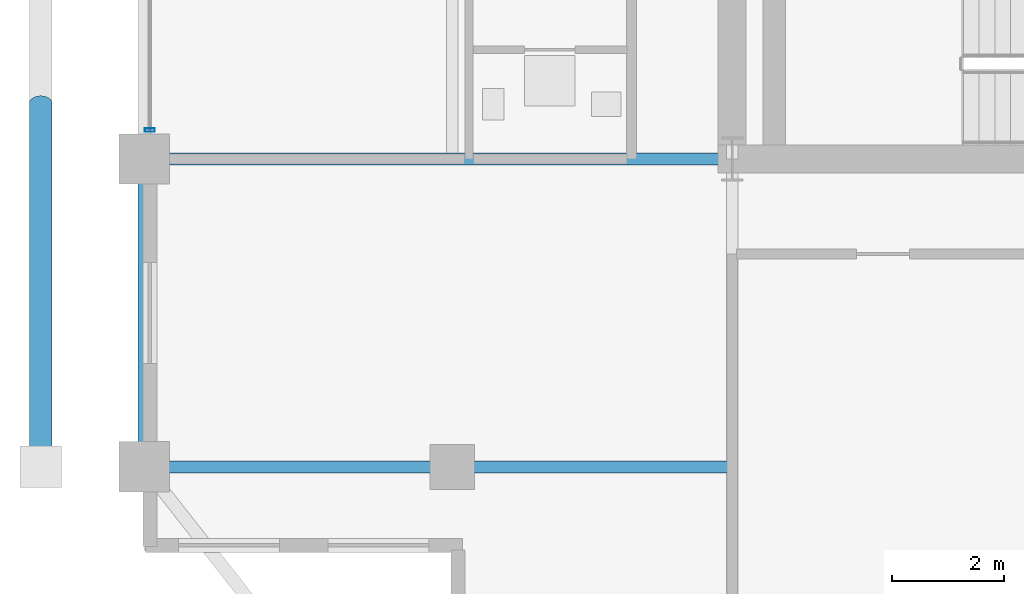
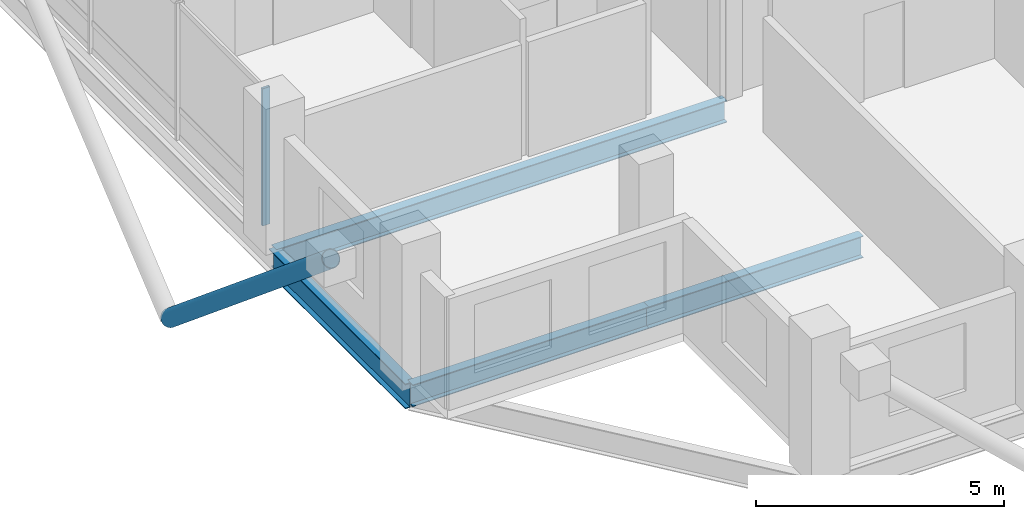
# One storey, part 3 of 23: 4 beams, 2 members, 1 element without a shape of its own.
"""IFC4 building model written with IfcOpenShell, lengths in metres."""

from ifc_helpers import new_model, si_unit, direction, frame, origin, origin_2d, place, context, subcontext, project, spatial, hollow_rectangle, hollow_circle, i_section, extrude, material, layer, layer_set, material_profile, profile_set, type_object, element, aggregate, save


model = new_model("IFC4")

# Units and contexts
model_context = context("Model", 3, precision=1e-05, world=origin(), true_north=direction((0.0, 1.0)))
body_context = subcontext(model_context, "Body", "Model", "MODEL_VIEW")
ifc_project = project(units=[si_unit("LENGTHUNIT", "METRE"), si_unit("AREAUNIT", "SQUARE_METRE"), si_unit("VOLUMEUNIT", "CUBIC_METRE"), si_unit("PLANEANGLEUNIT", "RADIAN"), si_unit("MASSUNIT", "GRAM", prefix="KILO")], contexts=[model_context])

# Site, building, storey
site_placement = place(None, origin())
site = spatial("IfcSite", under=ifc_project, at=site_placement, CompositionType="ELEMENT")
building_placement = place(site_placement, origin())
building = spatial("IfcBuilding", under=site, at=building_placement, Name="Barlavira Tower and Art Museum", CompositionType="ELEMENT")
storey_placement = place(building_placement, frame((0.0, 0.0, 247.5)))
storey = spatial("IfcBuildingStorey", under=building, at=storey_placement, Name="L64", CompositionType="ELEMENT", Elevation=247.5)

# Curtain wall, member
ifc_material_1 = material(Name="Low-iron coastal laminated glass", Category="glass")
ifc_layer = layer(ifc_material_1, 0.2099609375, Name="Low-iron coastal laminated glass")
ifc_layer_set = layer_set([ifc_layer], Name="Low-iron coastal laminated glass")
curtain_wall_type = type_object("IfcCurtainWallType", Name="Pale-Metal Unitised Curtain Wall Zone 4", PredefinedType="NOTDEFINED", material=ifc_layer_set)
curtain_wall_placement = place(storey_placement, origin())
curtain_wall = element("IfcCurtainWall", 1, at=curtain_wall_placement, inside=storey, type_object=curtain_wall_type, Name="L64 Curtain Wall CW4-L64-W-B3", PredefinedType="NOTDEFINED")
ifc_material_2 = material(Name="Pale anodised aluminium", Category="aluminium")
ifc_material_profile_1 = material_profile(ifc_material_2, hollow_rectangle(XDim=0.06494140625, YDim=0.179931640625, WallThickness=0.00390625, at=origin_2d()), Name="ALU-MULL 65x180x4")
ifc_profile_set_1 = profile_set([ifc_material_profile_1], Name="Pale anodised aluminium")
member_type_1 = type_object("IfcMemberType", Name="Curtain Wall Pale-Metal Mullion 65x180", PredefinedType="MULLION", material=ifc_profile_set_1)
member_1_placement = place(storey_placement, frame((-16.89990234375, -6.985107421875, 0.0), z_axis=(0.0, 0.0, 1.0), x_axis=(0.0, -1.0, 0.0)))
member_1 = element("IfcMember", 2, at=member_1_placement, type_object=member_type_1, Name="CW4-L64-W-B3 Mullion 4", PredefinedType="MULLION", context=body_context, shape_type="SweptSolid", body=[
    extrude(hollow_rectangle(XDim=0.06494140625, YDim=0.179931640625, WallThickness=0.00390625, at=origin_2d()), origin(), (0.0, 0.0, 1.0), 3.3798828125),
])
aggregate(curtain_wall, [member_1])

# Member
ifc_material_3 = material(Name="Steel S355", Category="steel")
ifc_material_profile_2 = material_profile(ifc_material_3, hollow_circle(Radius=0.203125, WallThickness=0.01611328125, at=origin_2d()), Name="CHS 406.4x16.0")
ifc_profile_set_2 = profile_set([ifc_material_profile_2], Name="Steel S355")
member_type_2 = type_object("IfcMemberType", Name="Pale-Metal Exoskeleton Diagrid Tube CHS 406x16 Steel S355", PredefinedType="BRACE", material=ifc_profile_set_2)
member_2_placement = place(storey_placement, frame((-18.85009765625, -6.5, -1.919921875), z_axis=(0.0, -0.769196053329, 0.639012857104), x_axis=(1.0, 0.0, 0.0)))
element("IfcMember", 3, at=member_2_placement, inside=storey, type_object=member_type_2, Name="L64 Exoskeleton Diagrid Tube W", PredefinedType="BRACE", context=body_context, shape_type="SweptSolid", body=[
    extrude(hollow_circle(Radius=0.203125, WallThickness=0.01611328125, at=origin_2d()), origin(), (0.0, 0.0, 1.0), 8.450439453125),
])

# Beams
ifc_material_profile_3 = material_profile(ifc_material_3, i_section(OverallWidth=0.22998046875, OverallDepth=0.616943359375, WebThickness=0.01318359375, FlangeThickness=0.022216796875, at=origin_2d()), Name="W610x140.0")
ifc_profile_set_3 = profile_set([ifc_material_profile_3], Name="Steel S355")
beam_type_1 = type_object("IfcBeamType", Name="Upper Shaft Spandrel Edge Beam W610x140 Steel S355", PredefinedType="SPANDREL", material=ifc_profile_set_3)
beam_1_placement = place(storey_placement, frame((-17.0, -13.0, -0.528564453125), z_axis=(0.0, 1.0, 0.0), x_axis=(-1.0, 0.0, 0.0)))
element("IfcBeam", 4, at=beam_1_placement, inside=storey, type_object=beam_type_1, Name="L64 Spandrel 15", PredefinedType="SPANDREL", context=body_context, shape_type="SweptSolid", body=[
    extrude(i_section(OverallWidth=0.22998046875, OverallDepth=0.616943359375, WebThickness=0.01318359375, FlangeThickness=0.022216796875, at=origin_2d()), origin(), (0.0, 0.0, 1.0), 5.5),
])
ifc_material_profile_4 = material_profile(ifc_material_3, i_section(OverallWidth=0.2109375, OverallDepth=0.5390625, WebThickness=0.01171875, FlangeThickness=0.018798828125, at=origin_2d()), Name="W530x109.0")
ifc_profile_set_4 = profile_set([ifc_material_profile_4], Name="Steel S355")
beam_type_2 = type_object("IfcBeamType", Name="Zone 3-4 Primary Floor Girder W530x109 Steel S355", PredefinedType="BEAM", material=ifc_profile_set_4)
beam_2_placement = place(storey_placement, frame((-17.0, -7.5, -0.489501953125), z_axis=(1.0, 0.0, 0.0), x_axis=(0.0, 1.0, 0.0)))
element("IfcBeam", 5, at=beam_2_placement, inside=storey, type_object=beam_type_2, Name="L64 Girder R-W1", PredefinedType="BEAM", context=body_context, shape_type="SweptSolid", body=[
    extrude(i_section(OverallWidth=0.2109375, OverallDepth=0.5390625, WebThickness=0.01171875, FlangeThickness=0.018798828125, at=origin_2d()), origin(), (0.0, 0.0, 1.0), 10.5),
])
beam_3_placement = place(storey_placement, frame((-17.0, -13.0, -0.489501953125), z_axis=(1.0, 0.0, 0.0), x_axis=(0.0, 1.0, 0.0)))
element("IfcBeam", 6, at=beam_3_placement, inside=storey, type_object=beam_type_2, Name="L64 Girder I-S1", PredefinedType="BEAM", context=body_context, shape_type="SweptSolid", body=[
    extrude(i_section(OverallWidth=0.2109375, OverallDepth=0.5390625, WebThickness=0.01171875, FlangeThickness=0.018798828125, at=origin_2d()), origin(), (0.0, 0.0, 1.0), 5.5),
])
beam_4_placement = place(storey_placement, frame((-11.5, -13.0, -0.489501953125), z_axis=(1.0, 0.0, 0.0), x_axis=(0.0, 1.0, 0.0)))
element("IfcBeam", 7, at=beam_4_placement, inside=storey, type_object=beam_type_2, Name="L64 Girder I-S2", PredefinedType="BEAM", context=body_context, shape_type="SweptSolid", body=[
    extrude(i_section(OverallWidth=0.2109375, OverallDepth=0.5390625, WebThickness=0.01171875, FlangeThickness=0.018798828125, at=origin_2d()), origin(), (0.0, 0.0, 1.0), 5.0),
])

save(model, "model.ifc")
